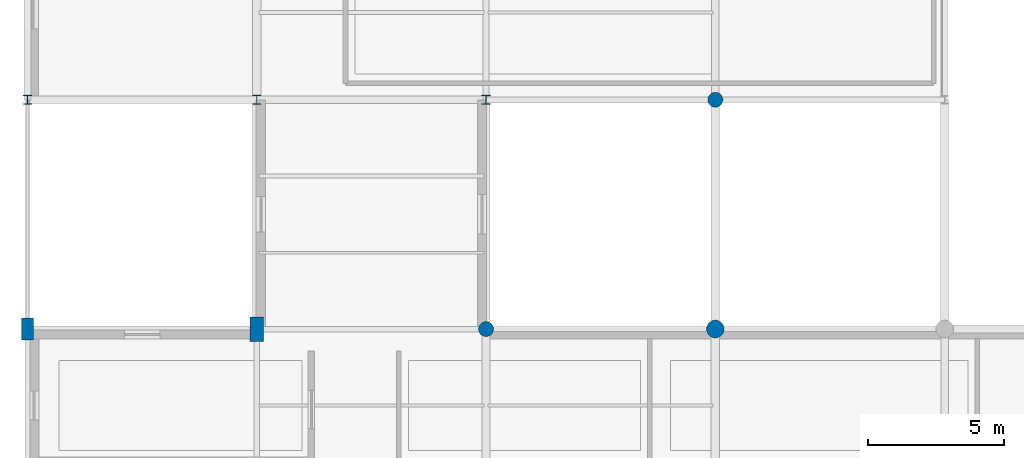
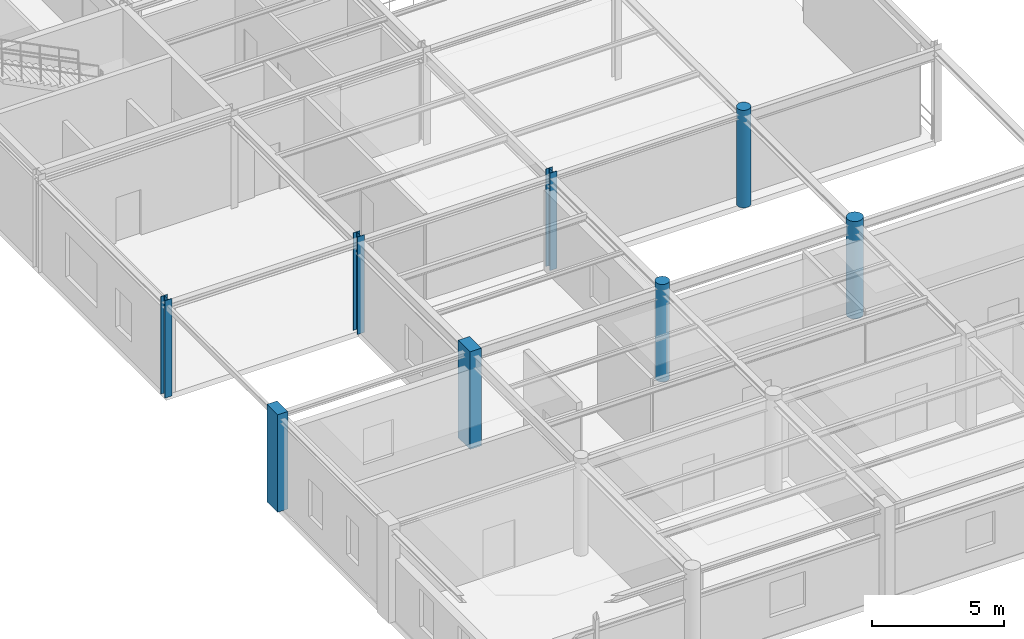
# One storey, part 3 of 106: 8 columns.
"""IFC4 building model written with IfcOpenShell, lengths in metres."""

from ifc_helpers import new_model, si_unit, derived_unit, direction, frame, origin, origin_2d, place, context, subcontext, project, spatial, rectangle, circle, i_section, extrude, material, material_profile, profile_set, type_object, element, save


model = new_model("IFC4")

# Units and contexts
model_context = context("Model", 3, precision=1e-05, world=origin(), true_north=direction((0.0, 1.0)))
body_context = subcontext(model_context, "Body", "Model", "MODEL_VIEW")
ifc_project = project(units=[si_unit("LENGTHUNIT", "METRE"), si_unit("AREAUNIT", "SQUARE_METRE"), si_unit("VOLUMEUNIT", "CUBIC_METRE"), si_unit("PLANEANGLEUNIT", "RADIAN"), si_unit("MASSUNIT", "GRAM", prefix="KILO"), derived_unit("THERMALTRANSMITTANCEUNIT", [(si_unit("POWERUNIT", "WATT"), 1), (si_unit("AREAUNIT", "SQUARE_METRE"), -1), (si_unit("THERMODYNAMICTEMPERATUREUNIT", "KELVIN"), -1)])], contexts=[model_context])

# Site, building, storey
site_placement = place(None, origin())
site = spatial("IfcSite", under=ifc_project, at=site_placement, CompositionType="ELEMENT")
building_placement = place(site_placement, origin())
building = spatial("IfcBuilding", under=site, at=building_placement, Name="Yasenodar Specialist Clinic", CompositionType="ELEMENT")
storey_placement = place(building_placement, frame((0.0, 0.0, 4.5)))
storey = spatial("IfcBuildingStorey", under=building, at=storey_placement, Name="L01", CompositionType="ELEMENT", Elevation=4.5)

# Columns
ifc_material_1 = material(Name="Concrete C35/45", Category="concrete")
ifc_material_profile_1 = material_profile(ifc_material_1, rectangle(XDim=0.449951171875, YDim=0.800048828125, at=origin_2d()), Name="RC 450x800")
ifc_profile_set_1 = profile_set([ifc_material_profile_1], Name="Concrete C35/45")
column_type_1 = type_object("IfcColumnType", Name="COL-RC-450x800", PredefinedType="COLUMN", material=ifc_profile_set_1)
column_1_placement = place(storey_placement, frame((0.0, 16.800048828125, 0.0), z_axis=(0.0, 0.0, 1.0), x_axis=(1.0, 0.0, 0.0)))
element("IfcColumn", 1, at=column_1_placement, inside=storey, type_object=column_type_1, Name="L01 Column V2-003", PredefinedType="COLUMN", context=body_context, shape_type="SweptSolid", body=[
    extrude(rectangle(XDim=0.449951171875, YDim=0.800048828125, at=origin_2d()), origin(), (0.0, 0.0, 1.0), 4.5),
])
ifc_material_profile_2 = material_profile(ifc_material_1, rectangle(XDim=0.5, YDim=0.89990234375, at=origin_2d()), Name="RC 500x900")
ifc_profile_set_2 = profile_set([ifc_material_profile_2], Name="Concrete C35/45")
column_type_2 = type_object("IfcColumnType", Name="COL-RC-500x900", PredefinedType="COLUMN", material=ifc_profile_set_2)
column_2_placement = place(storey_placement, frame((8.39990234375, 16.800048828125, 0.0), z_axis=(0.0, 0.0, 1.0), x_axis=(1.0, 0.0, 0.0)))
element("IfcColumn", 2, at=column_2_placement, inside=storey, type_object=column_type_2, Name="L01 Column V2-018", PredefinedType="COLUMN", context=body_context, shape_type="SweptSolid", body=[
    extrude(rectangle(XDim=0.5, YDim=0.89990234375, at=origin_2d()), origin(), (0.0, 0.0, 1.0), 4.5),
])
ifc_material_profile_3 = material_profile(ifc_material_1, circle(Radius=0.27490234375, at=origin_2d()), Name="RC D550")
ifc_profile_set_3 = profile_set([ifc_material_profile_3], Name="Concrete C35/45")
column_type_3 = type_object("IfcColumnType", Name="COL-RC-D550", PredefinedType="COLUMN", material=ifc_profile_set_3)
for number, where, z_axis, x_axis, name in (
    (3, (16.800048828125, 16.800048828125, 0.0), (0.0, 0.0, 1.0), (1.0, 0.0, 0.0), "L01 Column V2-033"),
    (4, (25.199951171875, 25.199951171875, 0.0), (0.0, 0.0, 1.0), (1.0, 0.0, 0.0), "L01 Column V2-049"),
):
    element("IfcColumn", number, at=place(storey_placement, frame(where, z_axis=z_axis, x_axis=x_axis)), inside=storey, type_object=column_type_3, Name=name, PredefinedType="COLUMN", context=body_context, shape_type="SweptSolid", body=[
        extrude(circle(Radius=0.27490234375, at=origin_2d()), origin(), (0.0, 0.0, 1.0), 4.5),
    ])
ifc_material_profile_4 = material_profile(ifc_material_1, circle(Radius=0.324951171875, at=origin_2d()), Name="RC D650")
ifc_profile_set_4 = profile_set([ifc_material_profile_4], Name="Concrete C35/45")
column_type_4 = type_object("IfcColumnType", Name="COL-RC-D650", PredefinedType="COLUMN", material=ifc_profile_set_4)
column_3_placement = place(storey_placement, frame((25.199951171875, 16.800048828125, 0.0), z_axis=(0.0, 0.0, 1.0), x_axis=(1.0, 0.0, 0.0)))
element("IfcColumn", 5, at=column_3_placement, inside=storey, type_object=column_type_4, Name="L01 Column V2-048", PredefinedType="COLUMN", context=body_context, shape_type="SweptSolid", body=[
    extrude(circle(Radius=0.324951171875, at=origin_2d()), origin(), (0.0, 0.0, 1.0), 4.5),
])
ifc_material_2 = material(Name="Steel S355", Category="steel")
ifc_material_profile_5 = material_profile(ifc_material_2, i_section(OverallWidth=0.300048828125, OverallDepth=0.330078125, WebThickness=0.009521484375, FlangeThickness=0.0166015625, FilletRadius=0.027099609375, at=origin_2d()), Name="HEA 340")
ifc_profile_set_5 = profile_set([ifc_material_profile_5], Name="Steel S355")
column_type_5 = type_object("IfcColumnType", Name="COL-ST-HEA340", PredefinedType="COLUMN", material=ifc_profile_set_5)
for number, where, z_axis, x_axis, name in (
    (6, (0.0, 25.199951171875, 0.0), (0.0, 0.0, 1.0), (1.0, 0.0, 0.0), "L01 Column V4-004"),
    (7, (8.39990234375, 25.199951171875, 0.0), (0.0, 0.0, 1.0), (1.0, 0.0, 0.0), "L01 Column V4-019"),
    (8, (16.800048828125, 25.199951171875, 0.0), (0.0, 0.0, 1.0), (1.0, 0.0, 0.0), "L01 Column V4-034"),
):
    element("IfcColumn", number, at=place(storey_placement, frame(where, z_axis=z_axis, x_axis=x_axis)), inside=storey, type_object=column_type_5, Name=name, PredefinedType="COLUMN", context=body_context, shape_type="SweptSolid", body=[
        extrude(i_section(OverallWidth=0.300048828125, OverallDepth=0.330078125, WebThickness=0.009521484375, FlangeThickness=0.0166015625, FilletRadius=0.027099609375, at=origin_2d()), origin(), (0.0, 0.0, 1.0), 4.5),
    ])

save(model, "model.ifc")
